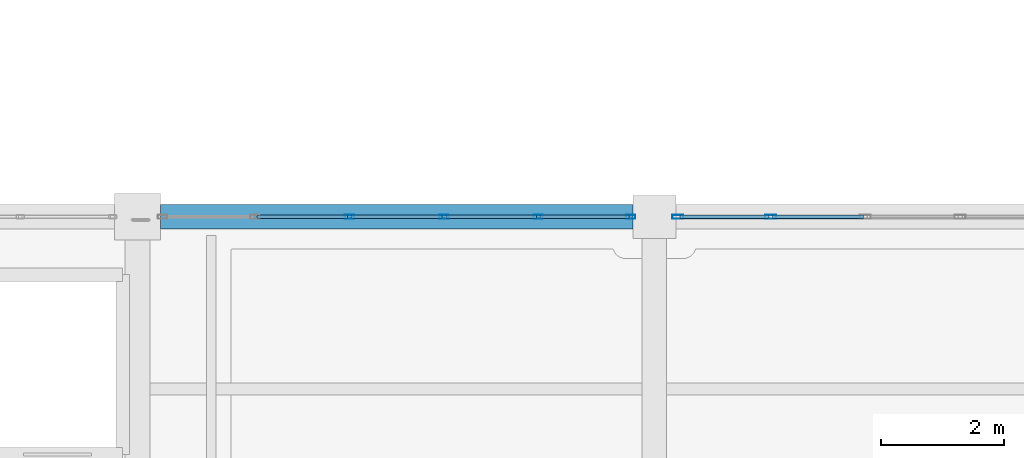
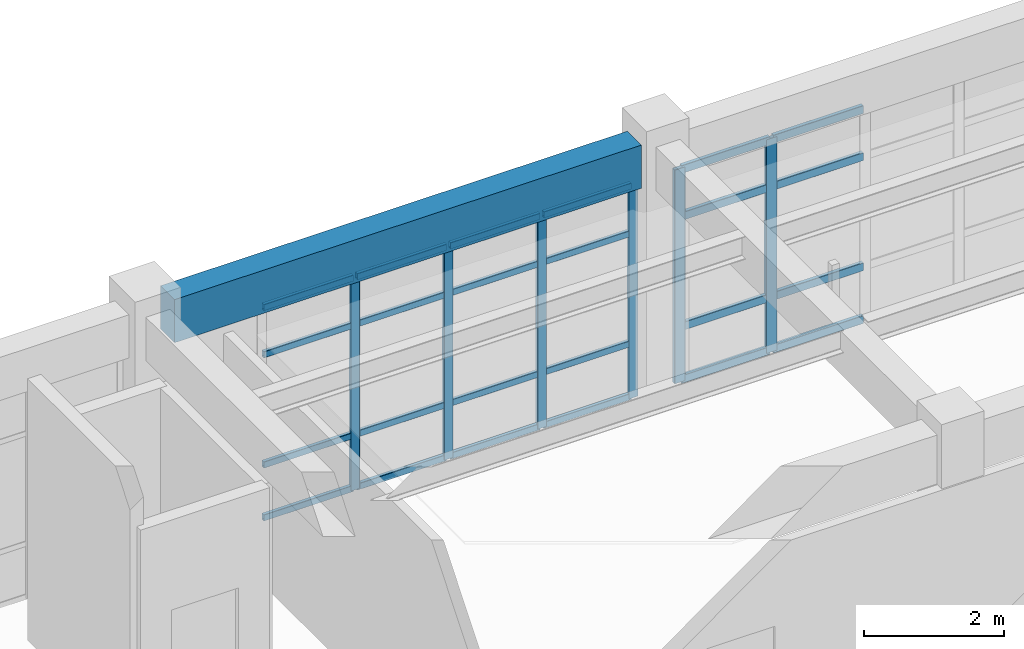
# One storey, part 20 of 111: 30 members, 1 beam, 2 elements without a shape of their own.
"""IFC4 building model written with IfcOpenShell, lengths in metres."""

from ifc_helpers import new_model, si_unit, direction, frame, origin, origin_2d, place, context, subcontext, project, spatial, rectangle, hollow_rectangle, extrude, material, material_profile, profile_set, type_object, element, aggregate, save


model = new_model("IFC4")

# Units and contexts
model_context = context("Model", 3, precision=1e-05, world=origin(), true_north=direction((0.0, 1.0)))
body_context = subcontext(model_context, "Body", "Model", "MODEL_VIEW")
ifc_project = project(units=[si_unit("LENGTHUNIT", "METRE"), si_unit("AREAUNIT", "SQUARE_METRE"), si_unit("VOLUMEUNIT", "CUBIC_METRE"), si_unit("PLANEANGLEUNIT", "RADIAN"), si_unit("MASSUNIT", "GRAM", prefix="KILO")], contexts=[model_context])

# Site, building, storey
site_placement = place(None, origin())
site = spatial("IfcSite", under=ifc_project, at=site_placement, CompositionType="ELEMENT")
building_placement = place(site_placement, origin())
building = spatial("IfcBuilding", under=site, at=building_placement, Name="Canglan Escarpment Cableway Terminal", CompositionType="ELEMENT")
storey_placement = place(building_placement, frame((0.0, 0.0, 4.800048828125)))
storey = spatial("IfcBuildingStorey", under=building, at=storey_placement, Name="L01", CompositionType="ELEMENT", Elevation=4.800048828125)

# Curtain wall, members
ifc_material_1 = material(Name="Anodized bronze aluminium and Low-E double glazing", Category="aluminium")
curtain_wall_type_1 = type_object("IfcCurtainWallType", Name="CW-BAY-7675x3725", PredefinedType="NOTDEFINED", material=ifc_material_1)
curtain_wall_1_placement = place(storey_placement, origin())
curtain_wall_1 = element("IfcCurtainWall", 1, at=curtain_wall_1_placement, inside=storey, type_object=curtain_wall_type_1, Name="Classical bay-between-piers glazed curtain wall CW-05", PredefinedType="NOTDEFINED")
ifc_material_2 = material(Name="Thermally broken anodized aluminium 6063-T6", Category="aluminium")
ifc_material_profile_1 = material_profile(ifc_material_2, hollow_rectangle(XDim=0.06494140625, YDim=0.14990234375, WallThickness=0.00341796875, InnerFilletRadius=0.00341796875, OuterFilletRadius=0.007080078125, at=origin_2d()), Name="ALU-MULL 65x150x3.5")
ifc_profile_set_1 = profile_set([ifc_material_profile_1], Name="Thermally broken anodized aluminium 6063-T6")
member_type_1 = type_object("IfcMemberType", Name="CWM-02", PredefinedType="MULLION", material=ifc_profile_set_1)
member_1_placement = place(storey_placement, frame((67.3173828125, 24.800048828125, 0.0), z_axis=(0.0, 0.0, 1.0), x_axis=(0.0, -1.0, 0.0)))
member_1 = element("IfcMember", 2, at=member_1_placement, type_object=member_type_1, Name="CW-05 mullion 1", PredefinedType="MULLION", context=body_context, shape_type="SweptSolid", body=[
    extrude(hollow_rectangle(XDim=0.06494140625, YDim=0.14990234375, WallThickness=0.00341796875, InnerFilletRadius=0.00341796875, OuterFilletRadius=0.007080078125, at=origin_2d()), origin(), (0.0, 0.0, 1.0), 3.71484375),
])
member_2_placement = place(storey_placement, frame((65.81494140625, 24.800048828125, 0.0), z_axis=(0.0, 0.0, 1.0), x_axis=(0.0, -1.0, 0.0)))
member_2 = element("IfcMember", 3, at=member_2_placement, type_object=member_type_1, Name="CW-05 mullion 2", PredefinedType="MULLION", context=body_context, shape_type="SweptSolid", body=[
    extrude(hollow_rectangle(XDim=0.06494140625, YDim=0.14990234375, WallThickness=0.00341796875, InnerFilletRadius=0.00341796875, OuterFilletRadius=0.007080078125, at=origin_2d()), origin(), (0.0, 0.0, 1.0), 3.71484375),
])
member_3_placement = place(storey_placement, frame((64.280029296875, 24.800048828125, 0.0), z_axis=(0.0, 0.0, 1.0), x_axis=(0.0, -1.0, 0.0)))
member_3 = element("IfcMember", 4, at=member_3_placement, type_object=member_type_1, Name="CW-05 mullion 3", PredefinedType="MULLION", context=body_context, shape_type="SweptSolid", body=[
    extrude(hollow_rectangle(XDim=0.06494140625, YDim=0.14990234375, WallThickness=0.00341796875, InnerFilletRadius=0.00341796875, OuterFilletRadius=0.007080078125, at=origin_2d()), origin(), (0.0, 0.0, 1.0), 3.71484375),
])
member_4_placement = place(storey_placement, frame((62.7451171875, 24.800048828125, 0.0), z_axis=(0.0, 0.0, 1.0), x_axis=(0.0, -1.0, 0.0)))
member_4 = element("IfcMember", 5, at=member_4_placement, type_object=member_type_1, Name="CW-05 mullion 4", PredefinedType="MULLION", context=body_context, shape_type="SweptSolid", body=[
    extrude(hollow_rectangle(XDim=0.06494140625, YDim=0.14990234375, WallThickness=0.00341796875, InnerFilletRadius=0.00341796875, OuterFilletRadius=0.007080078125, at=origin_2d()), origin(), (0.0, 0.0, 1.0), 3.71484375),
])

curtain_wall_type_2 = type_object("IfcCurtainWallType", Name="CW-BAY-7700x3725", PredefinedType="NOTDEFINED", material=ifc_material_1)
curtain_wall_2_placement = place(storey_placement, origin())
curtain_wall_2 = element("IfcCurtainWall", 6, at=curtain_wall_2_placement, inside=storey, type_object=curtain_wall_type_2, Name="Classical bay-between-piers glazed curtain wall CW-06", PredefinedType="NOTDEFINED")
ifc_material_profile_2 = material_profile(ifc_material_2, hollow_rectangle(XDim=0.06494140625, YDim=0.179931640625, WallThickness=0.00390625, InnerFilletRadius=0.00390625, OuterFilletRadius=0.008056640625, at=origin_2d()), Name="ALU-MULL 65x180x4")
ifc_profile_set_2 = profile_set([ifc_material_profile_2], Name="Thermally broken anodized aluminium 6063-T6")
member_type_2 = type_object("IfcMemberType", Name="CWM-03", PredefinedType="MULLION", material=ifc_profile_set_2)
member_5_placement = place(storey_placement, frame((69.590087890625, 24.800048828125, 0.0), z_axis=(0.0, 0.0, 1.0), x_axis=(0.0, -1.0, 0.0)))
member_5 = element("IfcMember", 7, at=member_5_placement, type_object=member_type_2, Name="CW-06 mullion 5", PredefinedType="MULLION", context=body_context, shape_type="SweptSolid", body=[
    extrude(hollow_rectangle(XDim=0.06494140625, YDim=0.179931640625, WallThickness=0.00390625, InnerFilletRadius=0.00390625, OuterFilletRadius=0.008056640625, at=origin_2d()), origin(), (0.0, 0.0, 1.0), 3.71484375),
])
member_6_placement = place(storey_placement, frame((68.08251953125, 24.800048828125, 0.0), z_axis=(0.0, 0.0, 1.0), x_axis=(0.0, -1.0, 0.0)))
member_6 = element("IfcMember", 8, at=member_6_placement, type_object=member_type_2, Name="CW-06 mullion 6", PredefinedType="MULLION", context=body_context, shape_type="SweptSolid", body=[
    extrude(hollow_rectangle(XDim=0.06494140625, YDim=0.179931640625, WallThickness=0.00390625, InnerFilletRadius=0.00390625, OuterFilletRadius=0.008056640625, at=origin_2d()), origin(), (0.0, 0.0, 1.0), 3.71484375),
])

# Member
ifc_material_profile_3 = material_profile(ifc_material_2, hollow_rectangle(XDim=0.06005859375, YDim=0.110107421875, WallThickness=0.0029296875, InnerFilletRadius=0.0029296875, OuterFilletRadius=0.006103515625, at=origin_2d()), Name="ALU-TRAN 60x110x3")
ifc_profile_set_3 = profile_set([ifc_material_profile_3], Name="Thermally broken anodized aluminium 6063-T6")
member_type_3 = type_object("IfcMemberType", Name="CWT-02", PredefinedType="USERDEFINED", material=ifc_profile_set_3)
member_7_placement = place(storey_placement, frame((67.284912109375, 24.800048828125, 0.030029296875), z_axis=(-1.0, 0.0, 0.0), x_axis=(0.0, -1.0, 0.0)))
member_7 = element("IfcMember", 9, at=member_7_placement, type_object=member_type_3, Name="CW-05 transom 1.1", ObjectType="TRANSOM", PredefinedType="USERDEFINED", context=body_context, shape_type="SweptSolid", body=[
    extrude(hollow_rectangle(XDim=0.06005859375, YDim=0.110107421875, WallThickness=0.0029296875, InnerFilletRadius=0.0029296875, OuterFilletRadius=0.006103515625, at=origin_2d()), origin(), (0.0, 0.0, 1.0), 1.4375),
])

member_8_placement = place(storey_placement, frame((67.284912109375, 24.800048828125, 0.949951171875), z_axis=(-1.0, 0.0, 0.0), x_axis=(0.0, -1.0, 0.0)))
member_8 = element("IfcMember", 10, at=member_8_placement, type_object=member_type_3, Name="CW-05 transom 1.2", ObjectType="TRANSOM", PredefinedType="USERDEFINED", context=body_context, shape_type="SweptSolid", body=[
    extrude(hollow_rectangle(XDim=0.06005859375, YDim=0.110107421875, WallThickness=0.0029296875, InnerFilletRadius=0.0029296875, OuterFilletRadius=0.006103515625, at=origin_2d()), origin(), (0.0, 0.0, 1.0), 1.4375),
])

member_9_placement = place(storey_placement, frame((67.284912109375, 24.800048828125, 2.864990234375), z_axis=(-1.0, 0.0, 0.0), x_axis=(0.0, -1.0, 0.0)))
member_9 = element("IfcMember", 11, at=member_9_placement, type_object=member_type_3, Name="CW-05 transom 1.3", ObjectType="TRANSOM", PredefinedType="USERDEFINED", context=body_context, shape_type="SweptSolid", body=[
    extrude(hollow_rectangle(XDim=0.06005859375, YDim=0.110107421875, WallThickness=0.0029296875, InnerFilletRadius=0.0029296875, OuterFilletRadius=0.006103515625, at=origin_2d()), origin(), (0.0, 0.0, 1.0), 1.4375),
])

member_10_placement = place(storey_placement, frame((67.284912109375, 24.800048828125, 3.68505859375), z_axis=(-1.0, 0.0, 0.0), x_axis=(0.0, -1.0, 0.0)))
member_10 = element("IfcMember", 12, at=member_10_placement, type_object=member_type_3, Name="CW-05 transom 1.4", ObjectType="TRANSOM", PredefinedType="USERDEFINED", context=body_context, shape_type="SweptSolid", body=[
    extrude(hollow_rectangle(XDim=0.06005859375, YDim=0.110107421875, WallThickness=0.0029296875, InnerFilletRadius=0.0029296875, OuterFilletRadius=0.006103515625, at=origin_2d()), origin(), (0.0, 0.0, 1.0), 1.4375),
])

member_11_placement = place(storey_placement, frame((65.782470703125, 24.800048828125, 0.030029296875), z_axis=(-1.0, 0.0, 0.0), x_axis=(0.0, -1.0, 0.0)))
member_11 = element("IfcMember", 13, at=member_11_placement, type_object=member_type_3, Name="CW-05 transom 2.1", ObjectType="TRANSOM", PredefinedType="USERDEFINED", context=body_context, shape_type="SweptSolid", body=[
    extrude(hollow_rectangle(XDim=0.06005859375, YDim=0.110107421875, WallThickness=0.0029296875, InnerFilletRadius=0.0029296875, OuterFilletRadius=0.006103515625, at=origin_2d()), origin(), (0.0, 0.0, 1.0), 1.469970703125),
])

member_12_placement = place(storey_placement, frame((65.782470703125, 24.800048828125, 0.949951171875), z_axis=(-1.0, 0.0, 0.0), x_axis=(0.0, -1.0, 0.0)))
member_12 = element("IfcMember", 14, at=member_12_placement, type_object=member_type_3, Name="CW-05 transom 2.2", ObjectType="TRANSOM", PredefinedType="USERDEFINED", context=body_context, shape_type="SweptSolid", body=[
    extrude(hollow_rectangle(XDim=0.06005859375, YDim=0.110107421875, WallThickness=0.0029296875, InnerFilletRadius=0.0029296875, OuterFilletRadius=0.006103515625, at=origin_2d()), origin(), (0.0, 0.0, 1.0), 1.469970703125),
])

member_13_placement = place(storey_placement, frame((65.782470703125, 24.800048828125, 2.864990234375), z_axis=(-1.0, 0.0, 0.0), x_axis=(0.0, -1.0, 0.0)))
member_13 = element("IfcMember", 15, at=member_13_placement, type_object=member_type_3, Name="CW-05 transom 2.3", ObjectType="TRANSOM", PredefinedType="USERDEFINED", context=body_context, shape_type="SweptSolid", body=[
    extrude(hollow_rectangle(XDim=0.06005859375, YDim=0.110107421875, WallThickness=0.0029296875, InnerFilletRadius=0.0029296875, OuterFilletRadius=0.006103515625, at=origin_2d()), origin(), (0.0, 0.0, 1.0), 1.469970703125),
])

member_14_placement = place(storey_placement, frame((65.782470703125, 24.800048828125, 3.68505859375), z_axis=(-1.0, 0.0, 0.0), x_axis=(0.0, -1.0, 0.0)))
member_14 = element("IfcMember", 16, at=member_14_placement, type_object=member_type_3, Name="CW-05 transom 2.4", ObjectType="TRANSOM", PredefinedType="USERDEFINED", context=body_context, shape_type="SweptSolid", body=[
    extrude(hollow_rectangle(XDim=0.06005859375, YDim=0.110107421875, WallThickness=0.0029296875, InnerFilletRadius=0.0029296875, OuterFilletRadius=0.006103515625, at=origin_2d()), origin(), (0.0, 0.0, 1.0), 1.469970703125),
])

member_15_placement = place(storey_placement, frame((64.24755859375, 24.800048828125, 0.030029296875), z_axis=(-1.0, 0.0, 0.0), x_axis=(0.0, -1.0, 0.0)))
member_15 = element("IfcMember", 17, at=member_15_placement, type_object=member_type_3, Name="CW-05 transom 3.1", ObjectType="TRANSOM", PredefinedType="USERDEFINED", context=body_context, shape_type="SweptSolid", body=[
    extrude(hollow_rectangle(XDim=0.06005859375, YDim=0.110107421875, WallThickness=0.0029296875, InnerFilletRadius=0.0029296875, OuterFilletRadius=0.006103515625, at=origin_2d()), origin(), (0.0, 0.0, 1.0), 1.469970703125),
])

member_16_placement = place(storey_placement, frame((64.24755859375, 24.800048828125, 0.949951171875), z_axis=(-1.0, 0.0, 0.0), x_axis=(0.0, -1.0, 0.0)))
member_16 = element("IfcMember", 18, at=member_16_placement, type_object=member_type_3, Name="CW-05 transom 3.2", ObjectType="TRANSOM", PredefinedType="USERDEFINED", context=body_context, shape_type="SweptSolid", body=[
    extrude(hollow_rectangle(XDim=0.06005859375, YDim=0.110107421875, WallThickness=0.0029296875, InnerFilletRadius=0.0029296875, OuterFilletRadius=0.006103515625, at=origin_2d()), origin(), (0.0, 0.0, 1.0), 1.469970703125),
])

member_17_placement = place(storey_placement, frame((64.24755859375, 24.800048828125, 2.864990234375), z_axis=(-1.0, 0.0, 0.0), x_axis=(0.0, -1.0, 0.0)))
member_17 = element("IfcMember", 19, at=member_17_placement, type_object=member_type_3, Name="CW-05 transom 3.3", ObjectType="TRANSOM", PredefinedType="USERDEFINED", context=body_context, shape_type="SweptSolid", body=[
    extrude(hollow_rectangle(XDim=0.06005859375, YDim=0.110107421875, WallThickness=0.0029296875, InnerFilletRadius=0.0029296875, OuterFilletRadius=0.006103515625, at=origin_2d()), origin(), (0.0, 0.0, 1.0), 1.469970703125),
])

member_18_placement = place(storey_placement, frame((64.24755859375, 24.800048828125, 3.68505859375), z_axis=(-1.0, 0.0, 0.0), x_axis=(0.0, -1.0, 0.0)))
member_18 = element("IfcMember", 20, at=member_18_placement, type_object=member_type_3, Name="CW-05 transom 3.4", ObjectType="TRANSOM", PredefinedType="USERDEFINED", context=body_context, shape_type="SweptSolid", body=[
    extrude(hollow_rectangle(XDim=0.06005859375, YDim=0.110107421875, WallThickness=0.0029296875, InnerFilletRadius=0.0029296875, OuterFilletRadius=0.006103515625, at=origin_2d()), origin(), (0.0, 0.0, 1.0), 1.469970703125),
])

member_19_placement = place(storey_placement, frame((62.71240234375, 24.800048828125, 0.030029296875), z_axis=(-1.0, 0.0, 0.0), x_axis=(0.0, -1.0, 0.0)))
member_19 = element("IfcMember", 21, at=member_19_placement, type_object=member_type_3, Name="CW-05 transom 4.1", ObjectType="TRANSOM", PredefinedType="USERDEFINED", context=body_context, shape_type="SweptSolid", body=[
    extrude(hollow_rectangle(XDim=0.06005859375, YDim=0.110107421875, WallThickness=0.0029296875, InnerFilletRadius=0.0029296875, OuterFilletRadius=0.006103515625, at=origin_2d()), origin(), (0.0, 0.0, 1.0), 1.469970703125),
])

member_20_placement = place(storey_placement, frame((62.71240234375, 24.800048828125, 0.949951171875), z_axis=(-1.0, 0.0, 0.0), x_axis=(0.0, -1.0, 0.0)))
member_20 = element("IfcMember", 22, at=member_20_placement, type_object=member_type_3, Name="CW-05 transom 4.2", ObjectType="TRANSOM", PredefinedType="USERDEFINED", context=body_context, shape_type="SweptSolid", body=[
    extrude(hollow_rectangle(XDim=0.06005859375, YDim=0.110107421875, WallThickness=0.0029296875, InnerFilletRadius=0.0029296875, OuterFilletRadius=0.006103515625, at=origin_2d()), origin(), (0.0, 0.0, 1.0), 1.469970703125),
])

member_21_placement = place(storey_placement, frame((62.71240234375, 24.800048828125, 2.864990234375), z_axis=(-1.0, 0.0, 0.0), x_axis=(0.0, -1.0, 0.0)))
member_21 = element("IfcMember", 23, at=member_21_placement, type_object=member_type_3, Name="CW-05 transom 4.3", ObjectType="TRANSOM", PredefinedType="USERDEFINED", context=body_context, shape_type="SweptSolid", body=[
    extrude(hollow_rectangle(XDim=0.06005859375, YDim=0.110107421875, WallThickness=0.0029296875, InnerFilletRadius=0.0029296875, OuterFilletRadius=0.006103515625, at=origin_2d()), origin(), (0.0, 0.0, 1.0), 1.469970703125),
])

member_22_placement = place(storey_placement, frame((62.71240234375, 24.800048828125, 3.68505859375), z_axis=(-1.0, 0.0, 0.0), x_axis=(0.0, -1.0, 0.0)))
member_22 = element("IfcMember", 24, at=member_22_placement, type_object=member_type_3, Name="CW-05 transom 4.4", ObjectType="TRANSOM", PredefinedType="USERDEFINED", context=body_context, shape_type="SweptSolid", body=[
    extrude(hollow_rectangle(XDim=0.06005859375, YDim=0.110107421875, WallThickness=0.0029296875, InnerFilletRadius=0.0029296875, OuterFilletRadius=0.006103515625, at=origin_2d()), origin(), (0.0, 0.0, 1.0), 1.469970703125),
])

aggregate(curtain_wall_1, [member_1, member_2, member_3, member_4, member_7, member_8, member_9, member_10, member_11, member_12, member_13, member_14, member_15, member_16, member_17, member_18, member_19, member_20, member_21, member_22])

ifc_material_profile_4 = material_profile(ifc_material_2, hollow_rectangle(XDim=0.06494140625, YDim=0.139892578125, WallThickness=0.00341796875, InnerFilletRadius=0.00341796875, OuterFilletRadius=0.007080078125, at=origin_2d()), Name="ALU-TRAN 65x140x3.5")
ifc_profile_set_4 = profile_set([ifc_material_profile_4], Name="Thermally broken anodized aluminium 6063-T6")
member_type_4 = type_object("IfcMemberType", Name="CWT-03", PredefinedType="USERDEFINED", material=ifc_profile_set_4)
member_23_placement = place(storey_placement, frame((71.097412109375, 24.800048828125, 0.032470703125), z_axis=(-1.0, 0.0, 0.0), x_axis=(0.0, -1.0, 0.0)))
member_23 = element("IfcMember", 25, at=member_23_placement, type_object=member_type_4, Name="CW-06 transom 4.1", ObjectType="TRANSOM", PredefinedType="USERDEFINED", context=body_context, shape_type="SweptSolid", body=[
    extrude(hollow_rectangle(XDim=0.06494140625, YDim=0.139892578125, WallThickness=0.00341796875, InnerFilletRadius=0.00341796875, OuterFilletRadius=0.007080078125, at=origin_2d()), origin(), (0.0, 0.0, 1.0), 1.474853515625),
])

member_24_placement = place(storey_placement, frame((71.097412109375, 24.800048828125, 0.949951171875), z_axis=(-1.0, 0.0, 0.0), x_axis=(0.0, -1.0, 0.0)))
member_24 = element("IfcMember", 26, at=member_24_placement, type_object=member_type_4, Name="CW-06 transom 4.2", ObjectType="TRANSOM", PredefinedType="USERDEFINED", context=body_context, shape_type="SweptSolid", body=[
    extrude(hollow_rectangle(XDim=0.06494140625, YDim=0.139892578125, WallThickness=0.00341796875, InnerFilletRadius=0.00341796875, OuterFilletRadius=0.007080078125, at=origin_2d()), origin(), (0.0, 0.0, 1.0), 1.474853515625),
])

member_25_placement = place(storey_placement, frame((71.097412109375, 24.800048828125, 2.864990234375), z_axis=(-1.0, 0.0, 0.0), x_axis=(0.0, -1.0, 0.0)))
member_25 = element("IfcMember", 27, at=member_25_placement, type_object=member_type_4, Name="CW-06 transom 4.3", ObjectType="TRANSOM", PredefinedType="USERDEFINED", context=body_context, shape_type="SweptSolid", body=[
    extrude(hollow_rectangle(XDim=0.06494140625, YDim=0.139892578125, WallThickness=0.00341796875, InnerFilletRadius=0.00341796875, OuterFilletRadius=0.007080078125, at=origin_2d()), origin(), (0.0, 0.0, 1.0), 1.474853515625),
])

member_26_placement = place(storey_placement, frame((71.097412109375, 24.800048828125, 3.682373046875), z_axis=(-1.0, 0.0, 0.0), x_axis=(0.0, -1.0, 0.0)))
member_26 = element("IfcMember", 28, at=member_26_placement, type_object=member_type_4, Name="CW-06 transom 4.4", ObjectType="TRANSOM", PredefinedType="USERDEFINED", context=body_context, shape_type="SweptSolid", body=[
    extrude(hollow_rectangle(XDim=0.06494140625, YDim=0.139892578125, WallThickness=0.00341796875, InnerFilletRadius=0.00341796875, OuterFilletRadius=0.007080078125, at=origin_2d()), origin(), (0.0, 0.0, 1.0), 1.474853515625),
])

member_27_placement = place(storey_placement, frame((69.5576171875, 24.800048828125, 0.032470703125), z_axis=(-1.0, 0.0, 0.0), x_axis=(0.0, -1.0, 0.0)))
member_27 = element("IfcMember", 29, at=member_27_placement, type_object=member_type_4, Name="CW-06 transom 5.1", ObjectType="TRANSOM", PredefinedType="USERDEFINED", context=body_context, shape_type="SweptSolid", body=[
    extrude(hollow_rectangle(XDim=0.06494140625, YDim=0.139892578125, WallThickness=0.00341796875, InnerFilletRadius=0.00341796875, OuterFilletRadius=0.007080078125, at=origin_2d()), origin(), (0.0, 0.0, 1.0), 1.442626953125),
])

member_28_placement = place(storey_placement, frame((69.5576171875, 24.800048828125, 0.949951171875), z_axis=(-1.0, 0.0, 0.0), x_axis=(0.0, -1.0, 0.0)))
member_28 = element("IfcMember", 30, at=member_28_placement, type_object=member_type_4, Name="CW-06 transom 5.2", ObjectType="TRANSOM", PredefinedType="USERDEFINED", context=body_context, shape_type="SweptSolid", body=[
    extrude(hollow_rectangle(XDim=0.06494140625, YDim=0.139892578125, WallThickness=0.00341796875, InnerFilletRadius=0.00341796875, OuterFilletRadius=0.007080078125, at=origin_2d()), origin(), (0.0, 0.0, 1.0), 1.442626953125),
])

member_29_placement = place(storey_placement, frame((69.5576171875, 24.800048828125, 2.864990234375), z_axis=(-1.0, 0.0, 0.0), x_axis=(0.0, -1.0, 0.0)))
member_29 = element("IfcMember", 31, at=member_29_placement, type_object=member_type_4, Name="CW-06 transom 5.3", ObjectType="TRANSOM", PredefinedType="USERDEFINED", context=body_context, shape_type="SweptSolid", body=[
    extrude(hollow_rectangle(XDim=0.06494140625, YDim=0.139892578125, WallThickness=0.00341796875, InnerFilletRadius=0.00341796875, OuterFilletRadius=0.007080078125, at=origin_2d()), origin(), (0.0, 0.0, 1.0), 1.442626953125),
])

member_30_placement = place(storey_placement, frame((69.5576171875, 24.800048828125, 3.682373046875), z_axis=(-1.0, 0.0, 0.0), x_axis=(0.0, -1.0, 0.0)))
member_30 = element("IfcMember", 32, at=member_30_placement, type_object=member_type_4, Name="CW-06 transom 5.4", ObjectType="TRANSOM", PredefinedType="USERDEFINED", context=body_context, shape_type="SweptSolid", body=[
    extrude(hollow_rectangle(XDim=0.06494140625, YDim=0.139892578125, WallThickness=0.00341796875, InnerFilletRadius=0.00341796875, OuterFilletRadius=0.007080078125, at=origin_2d()), origin(), (0.0, 0.0, 1.0), 1.442626953125),
])

aggregate(curtain_wall_2, [member_5, member_6, member_23, member_24, member_25, member_26, member_27, member_28, member_29, member_30])

# Beam
ifc_material_3 = material(Name="Concrete C40", Category="concrete")
ifc_material_profile_5 = material_profile(ifc_material_3, rectangle(XDim=0.39990234375, YDim=0.75, at=origin_2d()), Name="RC 400x750")
ifc_profile_set_5 = profile_set([ifc_material_profile_5], Name="Concrete C40")
beam_type = type_object("IfcBeamType", Name="SP-RC400x750", PredefinedType="SPANDREL", material=ifc_profile_set_5)
beam_placement = place(storey_placement, frame((59.675048828125, 24.800048828125, 4.10498046875), z_axis=(1.0, 0.0, 0.0), x_axis=(0.0, 1.0, 0.0)))
element("IfcBeam", 33, at=beam_placement, inside=storey, type_object=beam_type, Name="Primary structural girder SP-01", PredefinedType="SPANDREL", context=body_context, shape_type="SweptSolid", body=[
    extrude(rectangle(XDim=0.39990234375, YDim=0.75, at=origin_2d()), origin(), (0.0, 0.0, 1.0), 7.675048828125),
])

save(model, "model.ifc")
